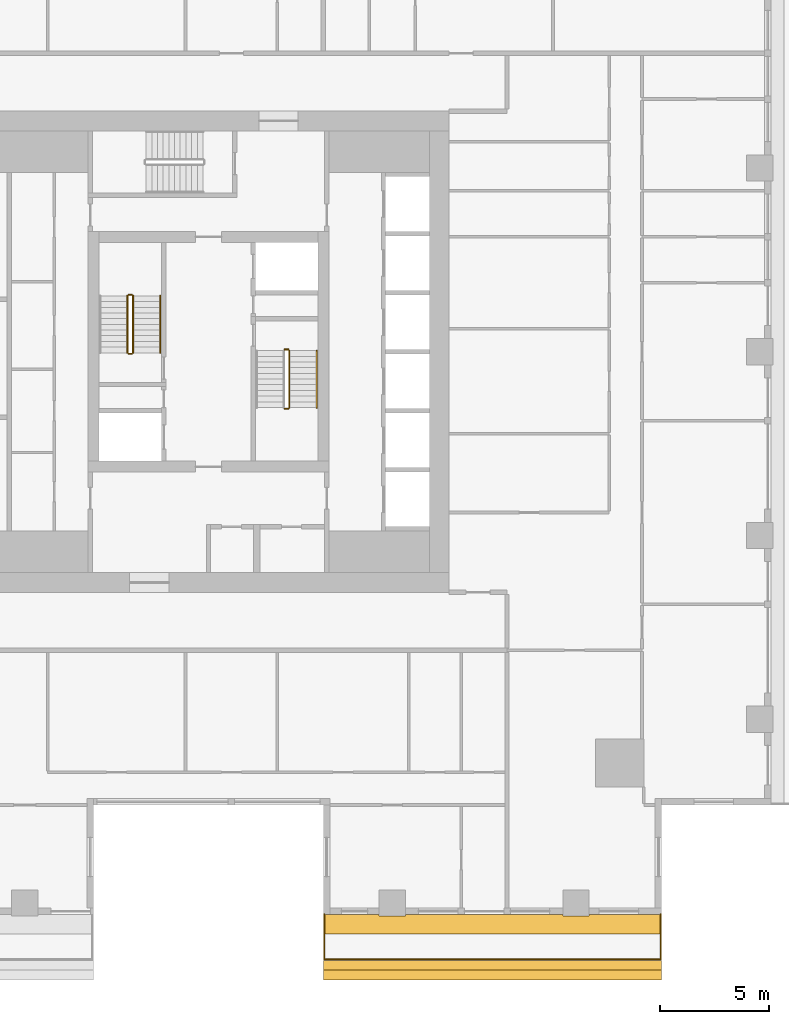
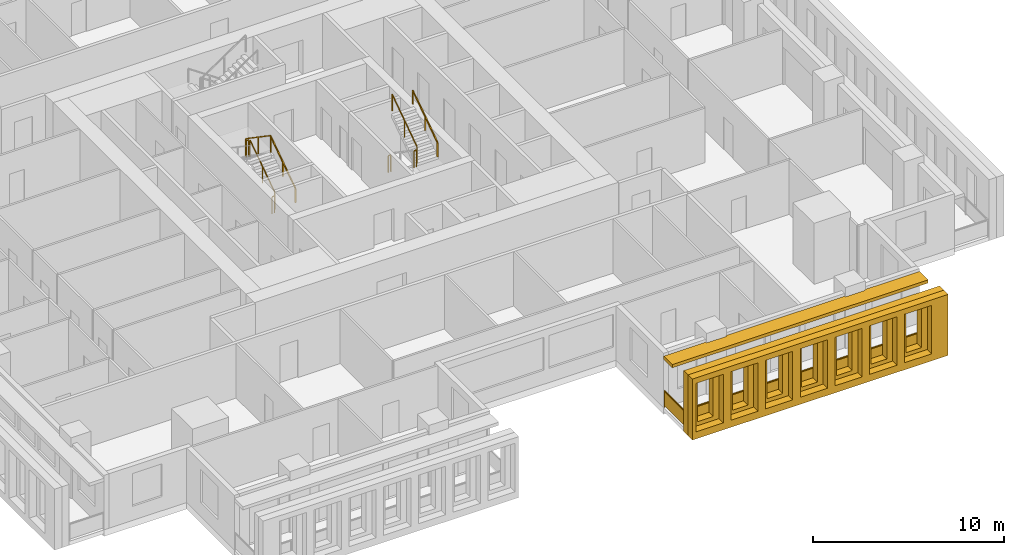
# One storey, part 12 of 15: 10 railings, 3 shading devices.
"""IFC4 building model written with IfcOpenShell, lengths in metres."""

from ifc_helpers import new_model, si_unit, direction, frame, origin, origin_2d, place, context, subcontext, project, spatial, polyline, rectangle, outline, extrude, material, layer, layer_set, type_object, element, save


model = new_model("IFC4")

# Units and contexts
model_context = context("Model", 3, precision=1e-05, world=origin(), true_north=direction((0.0, 1.0)))
body_context = subcontext(model_context, "Body", "Model", "MODEL_VIEW")
ifc_project = project(units=[si_unit("LENGTHUNIT", "METRE"), si_unit("AREAUNIT", "SQUARE_METRE"), si_unit("VOLUMEUNIT", "CUBIC_METRE"), si_unit("PLANEANGLEUNIT", "RADIAN"), si_unit("MASSUNIT", "GRAM", prefix="KILO")], contexts=[model_context])

# Site, building, storey
site_placement = place(None, origin())
site = spatial("IfcSite", under=ifc_project, at=site_placement, CompositionType="ELEMENT")
building_placement = place(site_placement, origin())
building = spatial("IfcBuilding", under=site, at=building_placement, Name="Khepri Terraces", CompositionType="ELEMENT")
storey_placement = place(building_placement, frame((0.0, 0.0, 252.300048828125)))
storey = spatial("IfcBuildingStorey", under=building, at=storey_placement, Name="L60", CompositionType="ELEMENT", Elevation=252.300048828125)

# Railings
ifc_material_1 = material(Name="Stainless steel grade 316", Category="steel")
railing_type_1 = type_object("IfcRailingType", Name="GRD-BAL-1100", PredefinedType="GUARDRAIL", material=ifc_material_1)
railing_1_placement = place(storey_placement, frame((5.300048828125, -25.719970703125, 0.0)))
element("IfcRailing", 1, at=railing_1_placement, inside=storey, type_object=railing_type_1, Name="Balcony guard L60 S", PredefinedType="GUARDRAIL", context=body_context, shape_type="SweptSolid", body=[
    extrude(rectangle(XDim=0.050048828125, YDim=0.06005859375, at=origin_2d()), frame((0.0, 0.0, 1.070068359375), z_axis=(0.0, -1.0, 0.0), x_axis=(1.0, 0.0, 0.0)), (0.0, 0.0, 1.0), 2.050048828125),
    extrude(rectangle(XDim=2.0, YDim=0.011962890625, at=origin_2d()), frame((0.0, -1.02490234375, 0.10009765625), z_axis=(0.0, 0.0, 1.0), x_axis=(0.0, -1.0, 0.0)), (0.0, 0.0, 1.0), 0.93994140625),
    extrude(rectangle(XDim=0.050048828125, YDim=0.06005859375, at=origin_2d()), frame((0.0, -2.050048828125, 1.070068359375), z_axis=(1.0, 0.0, 0.0), x_axis=(0.0, 1.0, 0.0)), (0.0, 0.0, 1.0), 15.369873046875),
    extrude(rectangle(XDim=2.145751953125, YDim=0.011962890625, at=origin_2d()), frame((1.097900390625, -2.050048828125, 0.10009765625), z_axis=(0.0, 0.0, 1.0), x_axis=(1.0, 0.0, 0.0)), (0.0, 0.0, 1.0), 0.93994140625),
    extrude(rectangle(XDim=2.145751953125, YDim=0.011962890625, at=origin_2d()), frame((3.29345703125, -2.050048828125, 0.10009765625), z_axis=(0.0, 0.0, 1.0), x_axis=(1.0, 0.0, 0.0)), (0.0, 0.0, 1.0), 0.93994140625),
    extrude(rectangle(XDim=2.145751953125, YDim=0.011962890625, at=origin_2d()), frame((5.4892578125, -2.050048828125, 0.10009765625), z_axis=(0.0, 0.0, 1.0), x_axis=(1.0, 0.0, 0.0)), (0.0, 0.0, 1.0), 0.93994140625),
    extrude(rectangle(XDim=2.145751953125, YDim=0.011962890625, at=origin_2d()), frame((7.68505859375, -2.050048828125, 0.10009765625), z_axis=(0.0, 0.0, 1.0), x_axis=(1.0, 0.0, 0.0)), (0.0, 0.0, 1.0), 0.93994140625),
    extrude(rectangle(XDim=2.145751953125, YDim=0.011962890625, at=origin_2d()), frame((9.880615234375, -2.050048828125, 0.10009765625), z_axis=(0.0, 0.0, 1.0), x_axis=(1.0, 0.0, 0.0)), (0.0, 0.0, 1.0), 0.93994140625),
    extrude(rectangle(XDim=2.145751953125, YDim=0.011962890625, at=origin_2d()), frame((12.076416015625, -2.050048828125, 0.10009765625), z_axis=(0.0, 0.0, 1.0), x_axis=(1.0, 0.0, 0.0)), (0.0, 0.0, 1.0), 0.93994140625),
    extrude(rectangle(XDim=2.145751953125, YDim=0.011962890625, at=origin_2d()), frame((14.27197265625, -2.050048828125, 0.10009765625), z_axis=(0.0, 0.0, 1.0), x_axis=(1.0, 0.0, 0.0)), (0.0, 0.0, 1.0), 0.93994140625),
    extrude(rectangle(XDim=0.050048828125, YDim=0.06005859375, at=origin_2d()), frame((15.369873046875, -2.050048828125, 1.070068359375), z_axis=(0.0, 1.0, 0.0), x_axis=(-1.0, 0.0, 0.0)), (0.0, 0.0, 1.0), 2.050048828125),
    extrude(rectangle(XDim=2.0, YDim=0.011962890625, at=origin_2d()), frame((15.369873046875, -1.02490234375, 0.10009765625), z_axis=(0.0, 0.0, 1.0), x_axis=(0.0, 1.0, 0.0)), (0.0, 0.0, 1.0), 0.93994140625),
    extrude(rectangle(XDim=0.050048828125, YDim=0.050048828125, at=origin_2d()), origin(), (0.0, 0.0, 1.0), 1.0400390625),
    extrude(rectangle(XDim=0.050048828125, YDim=0.050048828125, at=origin_2d()), frame((0.0, -2.050048828125, 0.0)), (0.0, 0.0, 1.0), 1.0400390625),
    extrude(rectangle(XDim=0.050048828125, YDim=0.050048828125, at=origin_2d()), frame((2.19580078125, -2.050048828125, 0.0)), (0.0, 0.0, 1.0), 1.0400390625),
    extrude(rectangle(XDim=0.050048828125, YDim=0.050048828125, at=origin_2d()), frame((4.391357421875, -2.050048828125, 0.0)), (0.0, 0.0, 1.0), 1.0400390625),
    extrude(rectangle(XDim=0.050048828125, YDim=0.050048828125, at=origin_2d()), frame((6.587158203125, -2.050048828125, 0.0)), (0.0, 0.0, 1.0), 1.0400390625),
    extrude(rectangle(XDim=0.050048828125, YDim=0.050048828125, at=origin_2d()), frame((8.78271484375, -2.050048828125, 0.0)), (0.0, 0.0, 1.0), 1.0400390625),
    extrude(rectangle(XDim=0.050048828125, YDim=0.050048828125, at=origin_2d()), frame((10.978515625, -2.050048828125, 0.0)), (0.0, 0.0, 1.0), 1.0400390625),
    extrude(rectangle(XDim=0.050048828125, YDim=0.050048828125, at=origin_2d()), frame((13.174072265625, -2.050048828125, 0.0)), (0.0, 0.0, 1.0), 1.0400390625),
    extrude(rectangle(XDim=0.050048828125, YDim=0.050048828125, at=origin_2d()), frame((15.369873046875, -2.050048828125, 0.0)), (0.0, 0.0, 1.0), 1.0400390625),
    extrude(rectangle(XDim=0.050048828125, YDim=0.050048828125, at=origin_2d()), frame((15.369873046875, 0.0, 0.0)), (0.0, 0.0, 1.0), 1.0400390625),
])
ifc_material_2 = material(Name="Stainless steel 316", Category="steel")
railing_type_2 = type_object("IfcRailingType", Name="RL-CORE-GUARD", PredefinedType="GUARDRAIL", material=ifc_material_2)
railing_2_placement = place(storey_placement, frame((-3.449951171875, -0.050048828125, 0.17724609375)))
element("IfcRailing", 2, at=railing_2_placement, inside=storey, type_object=railing_type_2, Name="L60 ST-1 stair guard 1", PredefinedType="GUARDRAIL", context=body_context, shape_type="SweptSolid", body=[
    extrude(rectangle(XDim=0.050048828125, YDim=0.06005859375, at=origin_2d()), frame((0.0, 0.0, 1.070068359375), z_axis=(0.0, 0.826240473404, 0.563317565952), x_axis=(-1.0, 0.0, 0.0)), (0.0, 0.0, 1.0), 3.14697265625),
    extrude(rectangle(XDim=0.050048828125, YDim=0.050048828125, at=origin_2d()), origin(), (0.0, 0.0, 1.0), 1.0400390625),
    extrude(rectangle(XDim=0.050048828125, YDim=0.050048828125, at=origin_2d()), frame((0.0, 1.300048828125, 0.88623046875)), (0.0, 0.0, 1.0), 1.0400390625),
    extrude(rectangle(XDim=0.050048828125, YDim=0.050048828125, at=origin_2d()), frame((0.0, 2.60009765625, 1.772705078125)), (0.0, 0.0, 1.0), 1.0400390625),
])
railing_3_placement = place(storey_placement, frame((-3.5, 2.60009765625, 1.949951171875)))
element("IfcRailing", 3, at=railing_3_placement, inside=storey, type_object=railing_type_2, Name="L60 ST-1 stair guard 2", PredefinedType="GUARDRAIL", context=body_context, shape_type="SweptSolid", body=[
    extrude(rectangle(XDim=0.050048828125, YDim=0.06005859375, at=origin_2d()), frame((0.0, 0.0, 1.070068359375), z_axis=(-1.0, 0.0, 0.0), x_axis=(0.0, -1.0, 0.0)), (0.0, 0.0, 1.0), 0.14990234375),
    extrude(rectangle(XDim=0.050048828125, YDim=0.050048828125, at=origin_2d()), origin(), (0.0, 0.0, 1.0), 1.0400390625),
    extrude(rectangle(XDim=0.050048828125, YDim=0.050048828125, at=origin_2d()), frame((-0.14990234375, 0.0, 0.0)), (0.0, 0.0, 1.0), 1.0400390625),
])
railing_4_placement = place(storey_placement, frame((-3.699951171875, 2.550048828125, 2.127197265625)))
element("IfcRailing", 4, at=railing_4_placement, inside=storey, type_object=railing_type_2, Name="L60 ST-1 stair guard 3", PredefinedType="GUARDRAIL", context=body_context, shape_type="SweptSolid", body=[
    extrude(rectangle(XDim=0.050048828125, YDim=0.06005859375, at=origin_2d()), frame((0.0, 0.0, 1.070068359375), z_axis=(0.0, -0.826240473404, 0.563317565952), x_axis=(1.0, 0.0, 0.0)), (0.0, 0.0, 1.0), 3.14697265625),
    extrude(rectangle(XDim=0.050048828125, YDim=0.050048828125, at=origin_2d()), origin(), (0.0, 0.0, 1.0), 1.0400390625),
    extrude(rectangle(XDim=0.050048828125, YDim=0.050048828125, at=origin_2d()), frame((0.0, -1.300048828125, 0.88623046875)), (0.0, 0.0, 1.0), 1.0400390625),
    extrude(rectangle(XDim=0.050048828125, YDim=0.050048828125, at=origin_2d()), frame((0.0, -2.60009765625, 1.772705078125)), (0.0, 0.0, 1.0), 1.0400390625),
])
railing_5_placement = place(storey_placement, frame((-3.5, -0.10009765625, 0.0)))
element("IfcRailing", 5, at=railing_5_placement, inside=storey, type_object=railing_type_2, Name="L60 ST-1 stair guard 4", PredefinedType="GUARDRAIL", context=body_context, shape_type="SweptSolid", body=[
    extrude(rectangle(XDim=0.050048828125, YDim=0.06005859375, at=origin_2d()), frame((0.0, 0.0, 1.070068359375), z_axis=(-1.0, 0.0, 0.0), x_axis=(0.0, -1.0, 0.0)), (0.0, 0.0, 1.0), 0.14990234375),
    extrude(rectangle(XDim=0.050048828125, YDim=0.050048828125, at=origin_2d()), origin(), (0.0, 0.0, 1.0), 1.0400390625),
    extrude(rectangle(XDim=0.050048828125, YDim=0.050048828125, at=origin_2d()), frame((-0.14990234375, 0.0, 0.0)), (0.0, 0.0, 1.0), 1.0400390625),
])
railing_6_placement = place(storey_placement, frame((3.5, -2.60009765625, 1.949951171875)))
element("IfcRailing", 6, at=railing_6_placement, inside=storey, type_object=railing_type_2, Name="L60 ST-2 stair guard 2", PredefinedType="GUARDRAIL", context=body_context, shape_type="SweptSolid", body=[
    extrude(rectangle(XDim=0.050048828125, YDim=0.06005859375, at=origin_2d()), frame((0.0, 0.0, 1.070068359375), z_axis=(1.0, 0.0, 0.0), x_axis=(0.0, 1.0, 0.0)), (0.0, 0.0, 1.0), 0.14990234375),
    extrude(rectangle(XDim=0.050048828125, YDim=0.050048828125, at=origin_2d()), origin(), (0.0, 0.0, 1.0), 1.0400390625),
    extrude(rectangle(XDim=0.050048828125, YDim=0.050048828125, at=origin_2d()), frame((0.14990234375, 0.0, 0.0)), (0.0, 0.0, 1.0), 1.0400390625),
])
railing_7_placement = place(storey_placement, frame((3.699951171875, -2.550048828125, 2.127197265625)))
element("IfcRailing", 7, at=railing_7_placement, inside=storey, type_object=railing_type_2, Name="L60 ST-2 stair guard 3", PredefinedType="GUARDRAIL", context=body_context, shape_type="SweptSolid", body=[
    extrude(rectangle(XDim=0.050048828125, YDim=0.06005859375, at=origin_2d()), frame((0.0, 0.0, 1.070068359375), z_axis=(0.0, 0.826240473404, 0.563317565952), x_axis=(-1.0, 0.0, 0.0)), (0.0, 0.0, 1.0), 3.14697265625),
    extrude(rectangle(XDim=0.050048828125, YDim=0.050048828125, at=origin_2d()), origin(), (0.0, 0.0, 1.0), 1.0400390625),
    extrude(rectangle(XDim=0.050048828125, YDim=0.050048828125, at=origin_2d()), frame((0.0, 1.300048828125, 0.88623046875)), (0.0, 0.0, 1.0), 1.0400390625),
    extrude(rectangle(XDim=0.050048828125, YDim=0.050048828125, at=origin_2d()), frame((0.0, 2.60009765625, 1.772705078125)), (0.0, 0.0, 1.0), 1.0400390625),
])
railing_8_placement = place(storey_placement, frame((3.5, 0.10009765625, 0.0)))
element("IfcRailing", 8, at=railing_8_placement, inside=storey, type_object=railing_type_2, Name="L60 ST-2 stair guard 4", PredefinedType="GUARDRAIL", context=body_context, shape_type="SweptSolid", body=[
    extrude(rectangle(XDim=0.050048828125, YDim=0.06005859375, at=origin_2d()), frame((0.0, 0.0, 1.070068359375), z_axis=(1.0, 0.0, 0.0), x_axis=(0.0, 1.0, 0.0)), (0.0, 0.0, 1.0), 0.14990234375),
    extrude(rectangle(XDim=0.050048828125, YDim=0.050048828125, at=origin_2d()), origin(), (0.0, 0.0, 1.0), 1.0400390625),
    extrude(rectangle(XDim=0.050048828125, YDim=0.050048828125, at=origin_2d()), frame((0.14990234375, 0.0, 0.0)), (0.0, 0.0, 1.0), 1.0400390625),
])
railing_type_3 = type_object("IfcRailingType", Name="RL-CORE-HANDRAIL", PredefinedType="HANDRAIL", material=ifc_material_2)
for number, where, name in (
    (9, (-2.199951171875, -0.050048828125, 0.17724609375), "L60 ST-1 stair handrail 1"),
    (10, (4.949951171875, -2.550048828125, 2.127197265625), "L60 ST-2 stair handrail 2"),
):
    element("IfcRailing", number, at=place(storey_placement, frame(where)), inside=storey, type_object=railing_type_3, Name=name, PredefinedType="HANDRAIL", context=body_context, shape_type="SweptSolid", body=[
        extrude(rectangle(XDim=0.050048828125, YDim=0.050048828125, at=origin_2d()), frame((0.0, 0.0, 0.875), z_axis=(0.0, 0.826240473404, 0.563317565952), x_axis=(-1.0, 0.0, 0.0)), (0.0, 0.0, 1.0), 3.14697265625),
        extrude(rectangle(XDim=0.050048828125, YDim=0.050048828125, at=origin_2d()), origin(), (0.0, 0.0, 1.0), 0.849853515625),
        extrude(rectangle(XDim=0.050048828125, YDim=0.050048828125, at=origin_2d()), frame((0.0, 1.300048828125, 0.88623046875)), (0.0, 0.0, 1.0), 0.849853515625),
        extrude(rectangle(XDim=0.050048828125, YDim=0.050048828125, at=origin_2d()), frame((0.0, 2.60009765625, 1.772705078125)), (0.0, 0.0, 1.0), 0.849853515625),
    ])

# Shading devices
ifc_material_3 = material(Name="Precast concrete C50/60 warm stone", Category="masonry")
shading_device_type_1 = type_object("IfcShadingDeviceType", Name="SCR-CELL-INNER-450", PredefinedType="USERDEFINED", material=ifc_material_3)
shading_device_1_placement = place(storey_placement, frame((5.25, -27.820068359375, -0.25), z_axis=(0.0, -1.0, 0.0), x_axis=(1.0, 0.0, 0.0)))
element("IfcShadingDevice", 11, at=shading_device_1_placement, inside=storey, type_object=shading_device_type_1, Name="Cell screen L60 S in", ObjectType="SCREEN", PredefinedType="USERDEFINED", context=body_context, shape_type="SweptSolid", body=[
    extrude(outline(polyline([(0.0, 0.0), (15.469970703125, 0.0), (15.469970703125, 3.89990234375), (0.0, 3.89990234375), (0.0, 0.0)]), holes=[polyline([(0.577392578125, 0.699951171875), (1.5224609375, 0.699951171875), (1.5224609375, 3.300048828125), (0.577392578125, 3.300048828125), (0.577392578125, 0.699951171875)]), polyline([(2.677490234375, 0.699951171875), (3.62255859375, 0.699951171875), (3.62255859375, 3.300048828125), (2.677490234375, 3.300048828125), (2.677490234375, 0.699951171875)]), polyline([(4.777587890625, 0.699951171875), (5.722412109375, 0.699951171875), (5.722412109375, 3.300048828125), (4.777587890625, 3.300048828125), (4.777587890625, 0.699951171875)]), polyline([(6.87744140625, 0.699951171875), (7.822509765625, 0.699951171875), (7.822509765625, 3.300048828125), (6.87744140625, 3.300048828125), (6.87744140625, 0.699951171875)]), polyline([(8.9775390625, 0.699951171875), (9.922607421875, 0.699951171875), (9.922607421875, 3.300048828125), (8.9775390625, 3.300048828125), (8.9775390625, 0.699951171875)]), polyline([(11.077392578125, 0.699951171875), (12.0224609375, 0.699951171875), (12.0224609375, 3.300048828125), (11.077392578125, 3.300048828125), (11.077392578125, 0.699951171875)]), polyline([(13.177490234375, 0.699951171875), (14.12255859375, 0.699951171875), (14.12255859375, 3.300048828125), (13.177490234375, 3.300048828125), (13.177490234375, 0.699951171875)])]), origin(), (0.0, 0.0, 1.0), 0.449951171875),
])
shading_device_type_2 = type_object("IfcShadingDeviceType", Name="SCR-CELL-OUTER-450", PredefinedType="USERDEFINED", material=ifc_material_3)
shading_device_2_placement = place(storey_placement, frame((5.25, -28.27001953125, -0.25), z_axis=(0.0, -1.0, 0.0), x_axis=(1.0, 0.0, 0.0)))
element("IfcShadingDevice", 12, at=shading_device_2_placement, inside=storey, type_object=shading_device_type_2, Name="Cell screen L60 S out", ObjectType="SCREEN", PredefinedType="USERDEFINED", context=body_context, shape_type="SweptSolid", body=[
    extrude(outline(polyline([(0.0, 0.0), (15.469970703125, 0.0), (15.469970703125, 3.89990234375), (0.0, 3.89990234375), (0.0, 0.0)]), holes=[polyline([(0.2275390625, 0.449951171875), (1.87255859375, 0.449951171875), (1.87255859375, 3.550048828125), (0.2275390625, 3.550048828125), (0.2275390625, 0.449951171875)]), polyline([(2.327392578125, 0.449951171875), (3.972412109375, 0.449951171875), (3.972412109375, 3.550048828125), (2.327392578125, 3.550048828125), (2.327392578125, 0.449951171875)]), polyline([(4.427490234375, 0.449951171875), (6.072509765625, 0.449951171875), (6.072509765625, 3.550048828125), (4.427490234375, 3.550048828125), (4.427490234375, 0.449951171875)]), polyline([(6.527587890625, 0.449951171875), (8.172607421875, 0.449951171875), (8.172607421875, 3.550048828125), (6.527587890625, 3.550048828125), (6.527587890625, 0.449951171875)]), polyline([(8.62744140625, 0.449951171875), (10.2724609375, 0.449951171875), (10.2724609375, 3.550048828125), (8.62744140625, 3.550048828125), (8.62744140625, 0.449951171875)]), polyline([(10.7275390625, 0.449951171875), (12.37255859375, 0.449951171875), (12.37255859375, 3.550048828125), (10.7275390625, 3.550048828125), (10.7275390625, 0.449951171875)]), polyline([(12.827392578125, 0.449951171875), (14.472412109375, 0.449951171875), (14.472412109375, 3.550048828125), (12.827392578125, 3.550048828125), (12.827392578125, 0.449951171875)])]), origin(), (0.0, 0.0, 1.0), 0.449951171875),
])
ifc_layer = layer(ifc_material_3, 0.199951171875, Name="Precast concrete C50/60 warm stone", Category="masonry")
ifc_layer_set = layer_set([ifc_layer], Name="Precast concrete C50/60 warm stone")
shading_device_type_3 = type_object("IfcShadingDeviceType", Name="SSH-BAND-STONE-200", PredefinedType="USERDEFINED", material=ifc_layer_set)
shading_device_3_placement = place(storey_placement, frame((0.0, 0.0, 3.099853515625)))
element("IfcShadingDevice", 13, at=shading_device_3_placement, inside=storey, type_object=shading_device_type_3, Name="Sunshade band L60 S", ObjectType="SUNSHADE", PredefinedType="USERDEFINED", context=body_context, shape_type="SweptSolid", body=[
    extrude(outline(polyline([(7.800048828125, -25.719970703125), (5.25, -25.719970703125), (5.25, -26.6201171875), (20.719970703125, -26.6201171875), (20.719970703125, -25.719970703125), (17.39990234375, -25.719970703125), (17.39990234375, -25.800048828125), (16.199951171875, -25.800048828125), (16.199951171875, -25.719970703125), (9.0, -25.719970703125), (9.0, -25.800048828125), (7.800048828125, -25.800048828125), (7.800048828125, -25.719970703125)])), origin(), (0.0, 0.0, 1.0), 0.2001953125),
])

save(model, "model.ifc")
